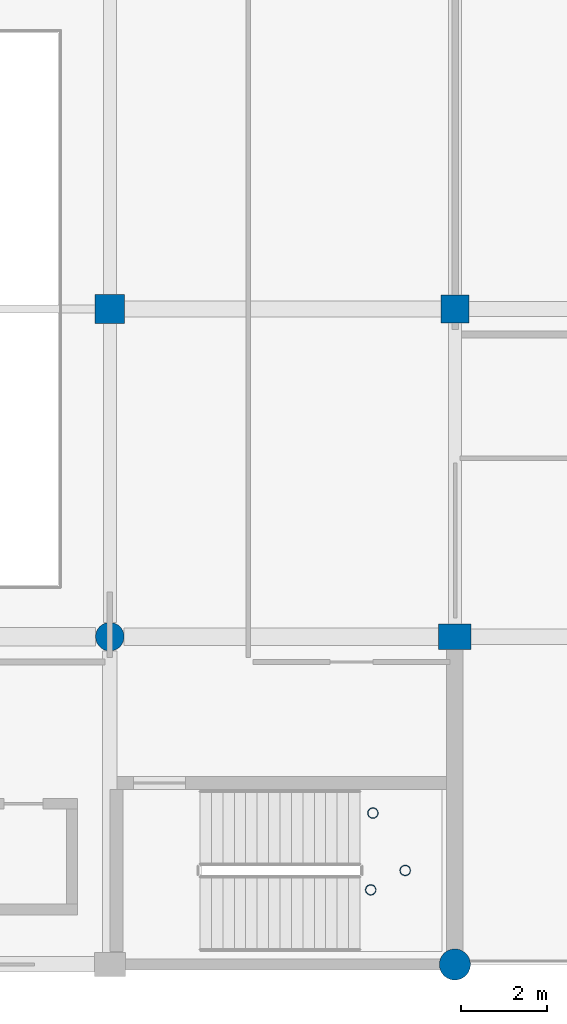
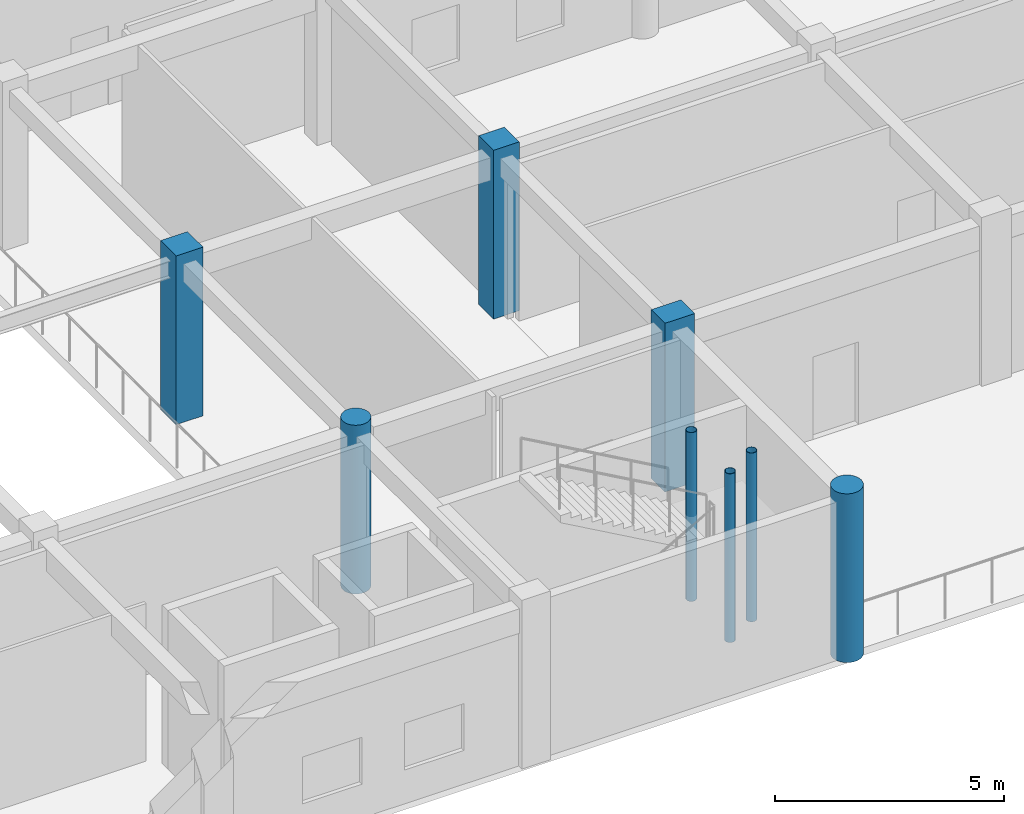
# One storey, part 3 of 160: 8 columns.
"""IFC4 building model written with IfcOpenShell, lengths in metres."""

from ifc_helpers import new_model, si_unit, direction, frame, origin, origin_2d, place, context, subcontext, project, spatial, rectangle, circle, hollow_circle, extrude, material, material_profile, profile_set, type_object, element, save


model = new_model("IFC4")

# Units and contexts
model_context = context("Model", 3, precision=1e-05, world=origin(), true_north=direction((0.0, 1.0)))
body_context = subcontext(model_context, "Body", "Model", "MODEL_VIEW")
ifc_project = project(units=[si_unit("LENGTHUNIT", "METRE"), si_unit("AREAUNIT", "SQUARE_METRE"), si_unit("VOLUMEUNIT", "CUBIC_METRE"), si_unit("PLANEANGLEUNIT", "RADIAN"), si_unit("MASSUNIT", "GRAM", prefix="KILO")], contexts=[model_context])

# Site, building, storey
site_placement = place(None, origin())
site = spatial("IfcSite", under=ifc_project, at=site_placement, CompositionType="ELEMENT")
building_placement = place(site_placement, origin())
building = spatial("IfcBuilding", under=site, at=building_placement, Name="Kharva Crest Polytechnic", CompositionType="ELEMENT")
storey_placement = place(building_placement, frame((0.0, 0.0, 4.5)))
storey = spatial("IfcBuildingStorey", under=building, at=storey_placement, Name="L01", CompositionType="ELEMENT", Elevation=4.5)

# Columns
ifc_material_1 = material(Name="Concrete C40/50", Category="concrete")
ifc_material_profile_1 = material_profile(ifc_material_1, rectangle(XDim=0.75, YDim=0.60009765625, at=origin_2d()), Name="RECT 750 X 600")
ifc_profile_set_1 = profile_set([ifc_material_profile_1], Name="Concrete C40/50")
column_type_1 = type_object("IfcColumnType", Name="COL-EXT-750X600", PredefinedType="COLUMN", material=ifc_profile_set_1)
column_1_placement = place(storey_placement, frame((56.0, 7.60009765625, 0.0), z_axis=(0.0, 0.0, 1.0), x_axis=(1.0, 0.0, 0.0)))
element("IfcColumn", 1, at=column_1_placement, inside=storey, type_object=column_type_1, Name="L01 Column 8/B", PredefinedType="COLUMN", context=body_context, shape_type="SweptSolid", body=[
    extrude(rectangle(XDim=0.75, YDim=0.60009765625, at=origin_2d()), origin(), (0.0, 0.0, 1.0), 4.5),
])
ifc_material_profile_2 = material_profile(ifc_material_1, circle(Radius=0.360107421875, at=origin_2d()), Name="DIA 720")
ifc_profile_set_2 = profile_set([ifc_material_profile_2], Name="Concrete C40/50")
column_type_2 = type_object("IfcColumnType", Name="COL-EXT-DIA720", PredefinedType="COLUMN", material=ifc_profile_set_2)
column_2_placement = place(storey_placement, frame((56.0, 0.0, 0.0), z_axis=(0.0, 0.0, 1.0), x_axis=(1.0, 0.0, 0.0)))
element("IfcColumn", 2, at=column_2_placement, inside=storey, type_object=column_type_2, Name="L01 Column 8/A", PredefinedType="COLUMN", context=body_context, shape_type="SweptSolid", body=[
    extrude(circle(Radius=0.360107421875, at=origin_2d()), origin(), (0.0, 0.0, 1.0), 4.5),
])
ifc_material_profile_3 = material_profile(ifc_material_1, rectangle(XDim=0.64990234375, YDim=0.64990234375, at=origin_2d()), Name="RECT 650 X 650")
ifc_profile_set_3 = profile_set([ifc_material_profile_3], Name="Concrete C40/50")
column_type_3 = type_object("IfcColumnType", Name="COL-INT-650X650", PredefinedType="COLUMN", material=ifc_profile_set_3)
column_3_placement = place(storey_placement, frame((56.0, 15.199951171875, 0.0), z_axis=(0.0, 0.0, 1.0), x_axis=(1.0, 0.0, 0.0)))
element("IfcColumn", 3, at=column_3_placement, inside=storey, type_object=column_type_3, Name="L01 Column 8/C", PredefinedType="COLUMN", context=body_context, shape_type="SweptSolid", body=[
    extrude(rectangle(XDim=0.64990234375, YDim=0.64990234375, at=origin_2d()), origin(), (0.0, 0.0, 1.0), 4.5),
])
ifc_material_profile_4 = material_profile(ifc_material_1, rectangle(XDim=0.679931640625, YDim=0.679931640625, at=origin_2d()), Name="RECT 680 X 680")
ifc_profile_set_4 = profile_set([ifc_material_profile_4], Name="Concrete C40/50")
column_type_4 = type_object("IfcColumnType", Name="COL-INT-680X680", PredefinedType="COLUMN", material=ifc_profile_set_4)
column_4_placement = place(storey_placement, frame((48.0, 15.199951171875, 0.0), z_axis=(0.0, 0.0, 1.0), x_axis=(1.0, 0.0, 0.0)))
element("IfcColumn", 4, at=column_4_placement, inside=storey, type_object=column_type_4, Name="L01 Column 7/C", PredefinedType="COLUMN", context=body_context, shape_type="SweptSolid", body=[
    extrude(rectangle(XDim=0.679931640625, YDim=0.679931640625, at=origin_2d()), origin(), (0.0, 0.0, 1.0), 4.5),
])
ifc_material_profile_5 = material_profile(ifc_material_1, circle(Radius=0.330078125, at=origin_2d()), Name="DIA 660")
ifc_profile_set_5 = profile_set([ifc_material_profile_5], Name="Concrete C40/50")
column_type_5 = type_object("IfcColumnType", Name="COL-INT-DIA660", PredefinedType="COLUMN", material=ifc_profile_set_5)
column_5_placement = place(storey_placement, frame((48.0, 7.60009765625, 0.0), z_axis=(0.0, 0.0, 1.0), x_axis=(1.0, 0.0, 0.0)))
element("IfcColumn", 5, at=column_5_placement, inside=storey, type_object=column_type_5, Name="L01 Column 7/B", PredefinedType="COLUMN", context=body_context, shape_type="SweptSolid", body=[
    extrude(circle(Radius=0.330078125, at=origin_2d()), origin(), (0.0, 0.0, 1.0), 4.5),
])
ifc_material_2 = material(Name="Steel S355", Category="steel")
ifc_material_profile_6 = material_profile(ifc_material_2, hollow_circle(Radius=0.122314453125, WallThickness=0.010009765625, at=origin_2d()), Name="CHS 244.5X10.0")
ifc_profile_set_6 = profile_set([ifc_material_profile_6], Name="Steel S355")
column_type_6 = type_object("IfcColumnType", Name="COL-STL-CHS244", PredefinedType="COLUMN", material=ifc_profile_set_6)
for number, where, z_axis, x_axis, name in (
    (6, (54.050048828125, 1.72998046875, 0.0), (0.0, 0.0, 1.0), (1.0, 0.0, 0.0), "L01 Stair ST-01 Landing Support Column SW"),
    (7, (54.10009765625, 3.510009765625, 0.0), (0.0, 0.0, 1.0), (1.0, 0.0, 0.0), "L01 Stair ST-01 Landing Support Column NW"),
    (8, (54.85009765625, 2.179931640625, 0.0), (0.0, 0.0, 1.0), (1.0, 0.0, 0.0), "L01 Stair ST-01 Landing Support Column EM"),
):
    element("IfcColumn", number, at=place(storey_placement, frame(where, z_axis=z_axis, x_axis=x_axis)), inside=storey, type_object=column_type_6, Name=name, PredefinedType="COLUMN", context=body_context, shape_type="SweptSolid", body=[
        extrude(hollow_circle(Radius=0.122314453125, WallThickness=0.010009765625, at=origin_2d()), origin(), (0.0, 0.0, 1.0), 4.5),
    ])

save(model, "model.ifc")
